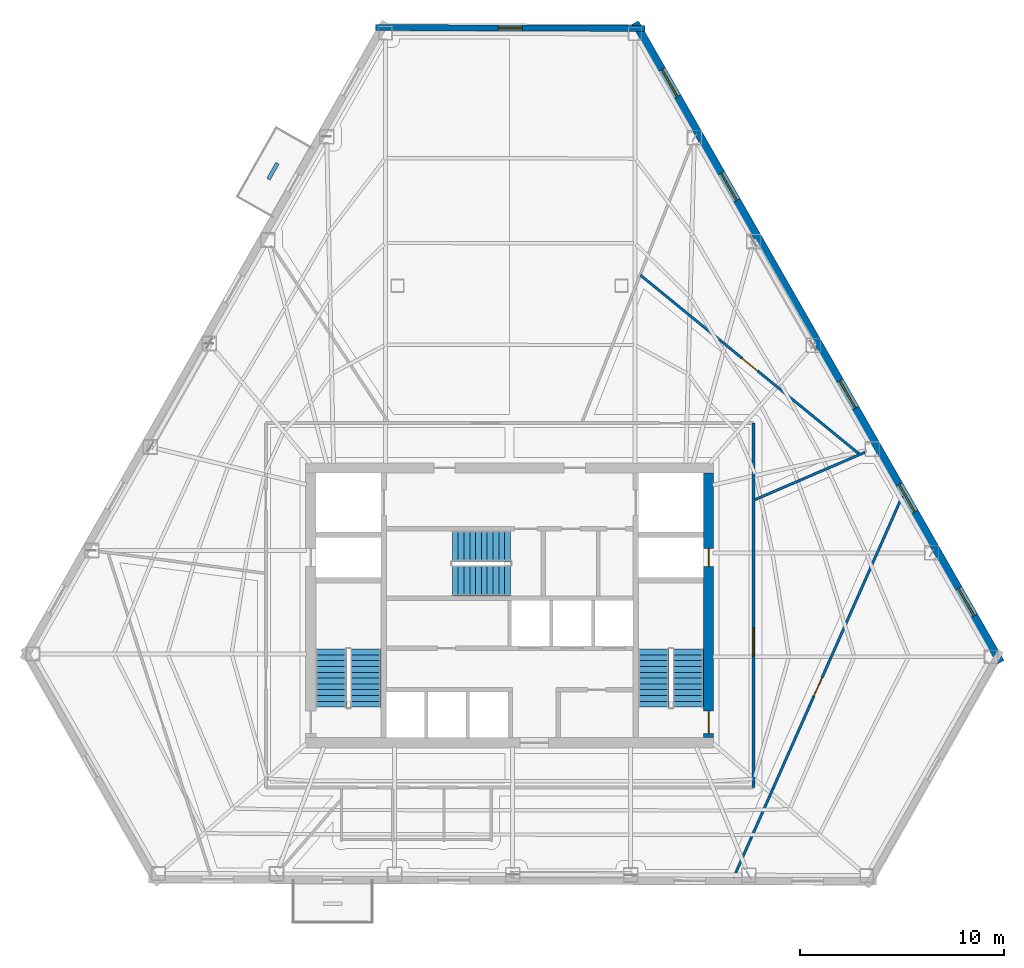
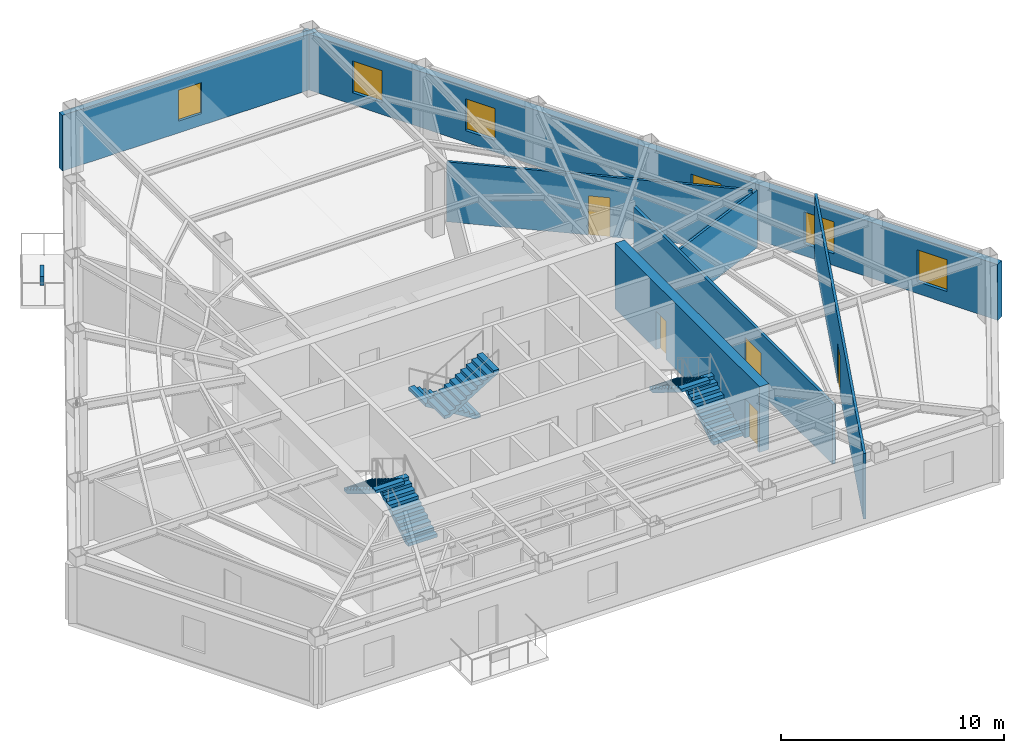
# One storey, part 10 of 13: 8 walls, 6 stair flights, 6 windows, 5 doors, 11 openings, 3 elements without a shape of their own.
"""IFC4 building model written with IfcOpenShell, lengths in metres."""

from ifc_helpers import new_model, si_unit, direction, frame, frame_2d, origin, place, context, subcontext, project, spatial, polyline, rectangle, outline, extrude, material, layer, layer_set, type_object, element, fill, aggregate, save


model = new_model("IFC4")

# Units and contexts
model_context = context("Model", 3, precision=1e-05, world=origin(), true_north=direction((0.0, 1.0)))
body_context = subcontext(model_context, "Body", "Model", "MODEL_VIEW")
ifc_project = project(units=[si_unit("LENGTHUNIT", "METRE"), si_unit("AREAUNIT", "SQUARE_METRE"), si_unit("VOLUMEUNIT", "CUBIC_METRE"), si_unit("PLANEANGLEUNIT", "RADIAN"), si_unit("MASSUNIT", "GRAM", prefix="KILO")], contexts=[model_context])

# Site, building, storey
site_placement = place(None, origin())
site = spatial("IfcSite", under=ifc_project, at=site_placement, CompositionType="ELEMENT")
building_placement = place(site_placement, origin())
building = spatial("IfcBuilding", under=site, at=building_placement, Name="Kavelnor Concourse Tower", CompositionType="ELEMENT")
storey_placement = place(building_placement, frame((0.0, 0.0, 97.050048828125)))
storey = spatial("IfcBuildingStorey", under=building, at=storey_placement, Name="L24", CompositionType="ELEMENT", Elevation=97.050048828125)

# Wall, openings, doors
ifc_material_1 = material(Name="Concrete C60/75", Category="concrete")
ifc_layer_1 = layer(ifc_material_1, 0.5, Name="Concrete C60/75")
ifc_layer_set_1 = layer_set([ifc_layer_1], Name="Concrete C60/75")
wall_type_1 = type_object("IfcWallType", Name="WL-CORE-Z2-500", PredefinedType="SOLIDWALL", material=ifc_layer_set_1)
wall_1_placement = place(storey_placement, frame((47.77001953125, 9.60009765625, 0.0), z_axis=(0.0, 0.0, 1.0), x_axis=(0.0, 1.0, 0.0)))
wall_1 = element("IfcWall", 1, at=wall_1_placement, inside=storey, type_object=wall_type_1, Name="L24 Central Core East Shear Wall", PredefinedType="SOLIDWALL", context=body_context, shape_type="SweptSolid", body=[
    extrude(rectangle(XDim=13.0, YDim=0.5, at=frame_2d((6.5, 0.0))), origin(), (0.0, 0.0, 1.0), 3.599853515625),
])
opening_1_placement = place(wall_1_placement, frame((0.199951171875, 0.0, 0.0)))
opening_1 = element("IfcOpeningElement", 2, at=opening_1_placement, cuts=wall_1, Name="Opening FD-110", PredefinedType="OPENING", context=body_context, shape_type="SweptSolid", body=[
    extrude(rectangle(XDim=1.10009765625, YDim=2.14990234375, at=frame_2d((0.550048828125, 1.074951171875))), frame((0.0, 0.260009765625, 0.0), z_axis=(0.0, -1.0, 0.0), x_axis=(1.0, 0.0, 0.0)), (0.0, 0.0, 1.0), 0.52001953125),
])
opening_2_placement = place(wall_1_placement, frame((8.39990234375, 0.0, 0.0)))
opening_2 = element("IfcOpeningElement", 3, at=opening_2_placement, cuts=wall_1, Name="Opening FD-090", PredefinedType="OPENING", context=body_context, shape_type="SweptSolid", body=[
    extrude(rectangle(XDim=0.89990234375, YDim=2.10009765625, at=frame_2d((0.449951171875, 1.050048828125))), frame((0.0, 0.260009765625, 0.0), z_axis=(0.0, -1.0, 0.0), x_axis=(1.0, 0.0, 0.0)), (0.0, 0.0, 1.0), 0.52001953125),
])
ifc_material_2 = material(Name="Steel Grade 350", Category="steel")
door_type_1 = type_object("IfcDoorType", Name="DR-RISER-FIRE-900", OperationType="NOTDEFINED", PredefinedType="DOOR", material=ifc_material_2)
door_1_placement = place(opening_2_placement, origin())
door_1 = element("IfcDoor", 4, at=door_1_placement, inside=storey, type_object=door_type_1, Name="L24 East Riser Access Door", OperationType="SINGLE_SWING_LEFT", OverallHeight=2.10009765625, OverallWidth=0.89990234375, PredefinedType="DOOR", context=body_context, shape_type="SweptSolid", body=[
    extrude(rectangle(XDim=0.89990234375, YDim=2.10009765625, at=frame_2d((0.449951171875, 1.050048828125))), frame((0.0, 0.02490234375, 0.0), z_axis=(0.0, -1.0, 0.0), x_axis=(1.0, 0.0, 0.0)), (0.0, 0.0, 1.0), 0.050048828125),
])
fill(opening_2, door_1)
door_type_2 = type_object("IfcDoorType", Name="DR-STAIR-FIRE-1100", OperationType="NOTDEFINED", PredefinedType="DOOR", material=ifc_material_2)
door_2_placement = place(opening_1_placement, origin())
door_2 = element("IfcDoor", 5, at=door_2_placement, inside=storey, type_object=door_type_2, Name="L24 Stair ST2 Fire Door", OperationType="SINGLE_SWING_RIGHT", OverallHeight=2.14990234375, OverallWidth=1.10009765625, PredefinedType="DOOR", context=body_context, shape_type="SweptSolid", body=[
    extrude(rectangle(XDim=1.10009765625, YDim=2.14990234375, at=frame_2d((0.550048828125, 1.074951171875))), frame((0.0, 0.02490234375, 0.0), z_axis=(0.0, -1.0, 0.0), x_axis=(1.0, 0.0, 0.0)), (0.0, 0.0, 1.0), 0.050048828125),
])
fill(opening_1, door_2)

# Wall, opening, window
ifc_material_3 = material(Name="Buff ironspot clay face brick masonry", Category="masonry")
ifc_layer_2 = layer(ifc_material_3, 0.300048828125, Name="Buff ironspot clay face brick masonry")
ifc_layer_set_2 = layer_set([ifc_layer_2], Name="Buff ironspot clay face brick masonry")
wall_type_2 = type_object("IfcWallType", Name="WL-EXT-BUFF-BRICK-FOLD-300", PredefinedType="STANDARD", material=ifc_layer_set_2)
wall_2_placement = place(storey_placement, frame((31.4189453125, 44.48095703125, 0.0), z_axis=(0.0, 0.0, 1.0), x_axis=(0.999996113452, -0.002788024615, 0.0)))
wall_2 = element("IfcWall", 6, at=wall_2_placement, inside=storey, type_object=wall_type_2, Name="L24 Exterior Brick Facade Wall E0", PredefinedType="STANDARD", context=body_context, shape_type="SweptSolid", body=[
    extrude(rectangle(XDim=13.22265625, YDim=0.300048828125, at=frame_2d((6.611328125, 0.0))), origin(), (0.0, 0.0, 1.0), 3.058837890625),
])
opening_3_placement = place(wall_2_placement, frame((6.011474609375, 0.0, 0.64990234375)))
opening_3 = element("IfcOpeningElement", 7, at=opening_3_placement, cuts=wall_2, Name="Opening W-05", PredefinedType="OPENING", context=body_context, shape_type="SweptSolid", body=[
    extrude(rectangle(XDim=1.199951171875, YDim=1.699951171875, at=frame_2d((0.60009765625, 0.85009765625))), frame((0.0, 0.16015625, 0.0), z_axis=(0.0, -1.0, 0.0), x_axis=(1.0, 0.0, 0.0)), (0.0, 0.0, 1.0), 0.320068359375),
])
ifc_material_4 = material(Name="Double low-E argon insulated glazing", Category="glass")
window_type_1 = type_object("IfcWindowType", Name="WIN-FOLD-1200", PartitioningType="SINGLE_PANEL", PredefinedType="WINDOW", material=ifc_material_4)
window_1_placement = place(opening_3_placement, origin())
window_1 = element("IfcWindow", 8, at=window_1_placement, inside=storey, type_object=window_type_1, Name="L24 Chamfer-Fold Facet Window C0", OverallHeight=1.699951171875, OverallWidth=1.199951171875, PartitioningType="SINGLE_PANEL", PredefinedType="WINDOW", context=body_context, shape_type="SweptSolid", body=[
    extrude(rectangle(XDim=1.199951171875, YDim=1.699951171875, at=frame_2d((0.60009765625, 0.85009765625))), frame((0.0, 0.030029296875, 0.0), z_axis=(0.0, -1.0, 0.0), x_axis=(1.0, 0.0, 0.0)), (0.0, 0.0, 1.0), 0.06005859375),
])
fill(opening_3, window_1)

# Wall, openings, windows
ifc_material_5 = material(Name="Red-ochre clay face brick masonry", Category="masonry")
ifc_layer_3 = layer(ifc_material_5, 0.3798828125, Name="Red-ochre clay face brick masonry")
ifc_layer_set_3 = layer_set([ifc_layer_3], Name="Red-ochre clay face brick masonry")
wall_type_3 = type_object("IfcWallType", Name="WL-EXT-RED-BRICK-PIER-380", PredefinedType="STANDARD", material=ifc_layer_set_3)
wall_3_placement = place(storey_placement, frame((44.16064453125, 44.72412109375, 0.0), z_axis=(0.0, 0.0, 1.0), x_axis=(0.496205042728, -0.86820536486, 0.0)))
wall_3 = element("IfcWall", 9, at=wall_3_placement, inside=storey, type_object=wall_type_3, Name="L24 Exterior Brick Facade Wall E5", PredefinedType="STANDARD", context=body_context, shape_type="SweptSolid", body=[
    extrude(rectangle(XDim=36.193115234375, YDim=0.3798828125, at=frame_2d((18.0966796875, 0.0))), origin(), (0.0, 0.0, 1.0), 3.058837890625),
])
opening_4_placement = place(wall_3_placement, frame((32.0078125, 0.0, 0.64990234375)))
opening_4 = element("IfcOpeningElement", 10, at=opening_4_placement, cuts=wall_3, Name="Opening W-02", PredefinedType="OPENING", context=body_context, shape_type="SweptSolid", body=[
    extrude(rectangle(XDim=1.550048828125, YDim=1.75, at=frame_2d((0.77490234375, 0.875))), frame((0.0, 0.199951171875, 0.0), z_axis=(0.0, -1.0, 0.0), x_axis=(1.0, 0.0, 0.0)), (0.0, 0.0, 1.0), 0.39990234375),
])
opening_5_placement = place(wall_3_placement, frame((26.134033203125, 0.0, 0.64990234375)))
opening_5 = element("IfcOpeningElement", 11, at=opening_5_placement, cuts=wall_3, Name="Opening W-02", PredefinedType="OPENING", context=body_context, shape_type="SweptSolid", body=[
    extrude(rectangle(XDim=1.550048828125, YDim=1.75, at=frame_2d((0.77490234375, 0.875))), frame((0.0, 0.199951171875, 0.0), z_axis=(0.0, -1.0, 0.0), x_axis=(1.0, 0.0, 0.0)), (0.0, 0.0, 1.0), 0.39990234375),
])
opening_6_placement = place(wall_3_placement, frame((20.260498046875, 0.0, 0.64990234375)))
opening_6 = element("IfcOpeningElement", 12, at=opening_6_placement, cuts=wall_3, Name="Opening W-02", PredefinedType="OPENING", context=body_context, shape_type="SweptSolid", body=[
    extrude(rectangle(XDim=1.550048828125, YDim=1.75, at=frame_2d((0.77490234375, 0.875))), frame((0.0, 0.199951171875, 0.0), z_axis=(0.0, -1.0, 0.0), x_axis=(1.0, 0.0, 0.0)), (0.0, 0.0, 1.0), 0.39990234375),
])
opening_7_placement = place(wall_3_placement, frame((8.51318359375, 0.0, 0.64990234375)))
opening_7 = element("IfcOpeningElement", 13, at=opening_7_placement, cuts=wall_3, Name="Opening W-02", PredefinedType="OPENING", context=body_context, shape_type="SweptSolid", body=[
    extrude(rectangle(XDim=1.550048828125, YDim=1.75, at=frame_2d((0.77490234375, 0.875))), frame((0.0, 0.199951171875, 0.0), z_axis=(0.0, -1.0, 0.0), x_axis=(1.0, 0.0, 0.0)), (0.0, 0.0, 1.0), 0.39990234375),
])
opening_8_placement = place(wall_3_placement, frame((2.639404296875, 0.0, 0.64990234375)))
opening_8 = element("IfcOpeningElement", 14, at=opening_8_placement, cuts=wall_3, Name="Opening W-02", PredefinedType="OPENING", context=body_context, shape_type="SweptSolid", body=[
    extrude(rectangle(XDim=1.550048828125, YDim=1.75, at=frame_2d((0.77490234375, 0.875))), frame((0.0, 0.199951171875, 0.0), z_axis=(0.0, -1.0, 0.0), x_axis=(1.0, 0.0, 0.0)), (0.0, 0.0, 1.0), 0.39990234375),
])
window_type_2 = type_object("IfcWindowType", Name="WIN-PIER-Z2-1650", PartitioningType="SINGLE_PANEL", PredefinedType="WINDOW", material=ifc_material_4)
window_2_placement = place(opening_4_placement, origin())
window_2 = element("IfcWindow", 15, at=window_2_placement, inside=storey, type_object=window_type_2, Name="L24 Deep-Set Brick Pier Window F2-B0", OverallHeight=1.75, OverallWidth=1.550048828125, PartitioningType="SINGLE_PANEL", PredefinedType="WINDOW", context=body_context, shape_type="SweptSolid", body=[
    extrude(rectangle(XDim=1.550048828125, YDim=1.75, at=frame_2d((0.77490234375, 0.875))), frame((0.0, 0.030029296875, 0.0), z_axis=(0.0, -1.0, 0.0), x_axis=(1.0, 0.0, 0.0)), (0.0, 0.0, 1.0), 0.06005859375),
])
fill(opening_4, window_2)
window_3_placement = place(opening_5_placement, origin())
window_3 = element("IfcWindow", 16, at=window_3_placement, inside=storey, type_object=window_type_2, Name="L24 Deep-Set Brick Pier Window F2-B1", OverallHeight=1.75, OverallWidth=1.550048828125, PartitioningType="SINGLE_PANEL", PredefinedType="WINDOW", context=body_context, shape_type="SweptSolid", body=[
    extrude(rectangle(XDim=1.550048828125, YDim=1.75, at=frame_2d((0.77490234375, 0.875))), frame((0.0, 0.030029296875, 0.0), z_axis=(0.0, -1.0, 0.0), x_axis=(1.0, 0.0, 0.0)), (0.0, 0.0, 1.0), 0.06005859375),
])
fill(opening_5, window_3)
window_4_placement = place(opening_6_placement, origin())
window_4 = element("IfcWindow", 17, at=window_4_placement, inside=storey, type_object=window_type_2, Name="L24 Deep-Set Brick Pier Window F2-B2", OverallHeight=1.75, OverallWidth=1.550048828125, PartitioningType="SINGLE_PANEL", PredefinedType="WINDOW", context=body_context, shape_type="SweptSolid", body=[
    extrude(rectangle(XDim=1.550048828125, YDim=1.75, at=frame_2d((0.77490234375, 0.875))), frame((0.0, 0.030029296875, 0.0), z_axis=(0.0, -1.0, 0.0), x_axis=(1.0, 0.0, 0.0)), (0.0, 0.0, 1.0), 0.06005859375),
])
fill(opening_6, window_4)
window_5_placement = place(opening_7_placement, origin())
window_5 = element("IfcWindow", 18, at=window_5_placement, inside=storey, type_object=window_type_2, Name="L24 Deep-Set Brick Pier Window F2-B4", OverallHeight=1.75, OverallWidth=1.550048828125, PartitioningType="SINGLE_PANEL", PredefinedType="WINDOW", context=body_context, shape_type="SweptSolid", body=[
    extrude(rectangle(XDim=1.550048828125, YDim=1.75, at=frame_2d((0.77490234375, 0.875))), frame((0.0, 0.030029296875, 0.0), z_axis=(0.0, -1.0, 0.0), x_axis=(1.0, 0.0, 0.0)), (0.0, 0.0, 1.0), 0.06005859375),
])
fill(opening_7, window_5)
window_6_placement = place(opening_8_placement, origin())
window_6 = element("IfcWindow", 19, at=window_6_placement, inside=storey, type_object=window_type_2, Name="L24 Deep-Set Brick Pier Window F2-B5", OverallHeight=1.75, OverallWidth=1.550048828125, PartitioningType="SINGLE_PANEL", PredefinedType="WINDOW", context=body_context, shape_type="SweptSolid", body=[
    extrude(rectangle(XDim=1.550048828125, YDim=1.75, at=frame_2d((0.77490234375, 0.875))), frame((0.0, 0.030029296875, 0.0), z_axis=(0.0, -1.0, 0.0), x_axis=(1.0, 0.0, 0.0)), (0.0, 0.0, 1.0), 0.06005859375),
])
fill(opening_8, window_6)

# Wall, opening, door
ifc_material_6 = material(Name="Gypsum plasterboard on light-gauge steel studs", Category="steel")
ifc_layer_4 = layer(ifc_material_6, 0.14501953125, Name="Gypsum plasterboard on light-gauge steel studs")
ifc_layer_set_4 = layer_set([ifc_layer_4], Name="Gypsum plasterboard on light-gauge steel studs")
wall_type_4 = type_object("IfcWallType", Name="WL-INT-CORR-145", PredefinedType="PARTITIONING", material=ifc_layer_set_4)
wall_4_placement = place(storey_placement, frame((49.969970703125, 7.14990234375, 0.0), z_axis=(0.0, 0.0, 1.0), x_axis=(0.0, 1.0, 0.0)))
wall_4 = element("IfcWall", 20, at=wall_4_placement, inside=storey, type_object=wall_type_4, Name="L24 Corridor Wall WL-L24-CR-01", PredefinedType="PARTITIONING", context=body_context, shape_type="SweptSolid", body=[
    extrude(rectangle(XDim=17.900146484375, YDim=0.14501953125, at=frame_2d((8.9501953125, 0.0))), origin(), (0.0, 0.0, 1.0), 3.287841796875),
])
opening_9_placement = place(wall_4_placement, frame((6.4541015625, 0.0, 0.0)))
opening_9 = element("IfcOpeningElement", 21, at=opening_9_placement, cuts=wall_4, Name="Opening SD-140", PredefinedType="OPENING", context=body_context, shape_type="SweptSolid", body=[
    extrude(rectangle(XDim=1.39990234375, YDim=2.199951171875, at=frame_2d((0.699951171875, 1.10009765625))), frame((0.0, 0.08251953125, 0.0), z_axis=(0.0, -1.0, 0.0), x_axis=(1.0, 0.0, 0.0)), (0.0, 0.0, 1.0), 0.1650390625),
])
ifc_material_7 = material(Name="Solid-core hardwood timber", Category="wood")
door_type_3 = type_object("IfcDoorType", Name="DR-SUITE-ENTRY-1400", OperationType="NOTDEFINED", PredefinedType="DOOR", material=ifc_material_7)
door_3_placement = place(opening_9_placement, origin())
door_3 = element("IfcDoor", 22, at=door_3_placement, inside=storey, type_object=door_type_3, Name="L24 Architectural Design Studio 07 Door", OperationType="SINGLE_SWING_RIGHT", OverallHeight=2.199951171875, OverallWidth=1.39990234375, PredefinedType="DOOR", context=body_context, shape_type="SweptSolid", body=[
    extrude(rectangle(XDim=1.39990234375, YDim=2.199951171875, at=frame_2d((0.699951171875, 1.10009765625))), frame((0.0, 0.02490234375, 0.0), z_axis=(0.0, -1.0, 0.0), x_axis=(1.0, 0.0, 0.0)), (0.0, 0.0, 1.0), 0.050048828125),
])
fill(opening_9, door_3)

# Wall
ifc_layer_5 = layer(ifc_material_6, 0.125, Name="Gypsum plasterboard on light-gauge steel studs")
ifc_layer_set_5 = layer_set([ifc_layer_5], Name="Gypsum plasterboard on light-gauge steel studs")
wall_type_5 = type_object("IfcWallType", Name="WL-INT-SUITE-125", PredefinedType="PARTITIONING", material=ifc_layer_set_5)
wall_5_placement = place(storey_placement, frame((50.050537109375, 21.291259765625, 0.0), z_axis=(0.0, 0.0, 1.0), x_axis=(0.918411455874, 0.395626588741, 0.0)))
element("IfcWall", 23, at=wall_5_placement, inside=storey, type_object=wall_type_5, Name="L24 Radial Suite Partition 01", PredefinedType="PARTITIONING", context=body_context, shape_type="SweptSolid", body=[
    extrude(rectangle(XDim=5.8828125, YDim=0.125, at=frame_2d((2.94140625, 0.0))), origin(), (0.0, 0.0, 1.0), 3.140869140625),
])

# Wall, opening, door
wall_6_placement = place(storey_placement, frame((55.19140625, 23.522216796875, 0.0), z_axis=(0.0, 0.0, 1.0), x_axis=(-0.774294364682, 0.632825597476, 0.0)))
wall_6 = element("IfcWall", 24, at=wall_6_placement, inside=storey, type_object=wall_type_5, Name="L24 Suite Subdivision Partition 01", PredefinedType="PARTITIONING", context=body_context, shape_type="SweptSolid", body=[
    extrude(rectangle(XDim=13.904541015625, YDim=0.125, at=frame_2d((6.9521484375, 0.0))), origin(), (0.0, 0.0, 1.0), 3.287841796875),
])
opening_10_placement = place(wall_6_placement, frame((6.47021484375, 0.0, 0.0)))
opening_10 = element("IfcOpeningElement", 25, at=opening_10_placement, cuts=wall_6, Name="Opening OD-098", PredefinedType="OPENING", context=body_context, shape_type="SweptSolid", body=[
    extrude(rectangle(XDim=0.97998046875, YDim=2.14990234375, at=frame_2d((0.489990234375, 1.074951171875))), frame((0.0, 0.072509765625, 0.0), z_axis=(0.0, -1.0, 0.0), x_axis=(1.0, 0.0, 0.0)), (0.0, 0.0, 1.0), 0.14501953125),
])
door_type_4 = type_object("IfcDoorType", Name="DR-OFFICE-980", OperationType="NOTDEFINED", PredefinedType="DOOR", material=ifc_material_7)
door_4_placement = place(opening_10_placement, origin())
door_4 = element("IfcDoor", 26, at=door_4_placement, inside=storey, type_object=door_type_4, Name="L24 Technical Reference Library 02 Door", OperationType="SINGLE_SWING_LEFT", OverallHeight=2.14990234375, OverallWidth=0.97998046875, PredefinedType="DOOR", context=body_context, shape_type="SweptSolid", body=[
    extrude(rectangle(XDim=0.97998046875, YDim=2.14990234375, at=frame_2d((0.489990234375, 1.074951171875))), frame((0.0, 0.02490234375, 0.0), z_axis=(0.0, -1.0, 0.0), x_axis=(1.0, 0.0, 0.0)), (0.0, 0.0, 1.0), 0.050048828125),
])
fill(opening_10, door_4)

wall_7_placement = place(storey_placement, frame((49.001220703125, 2.7216796875, 0.0), z_axis=(0.0, 0.0, 1.0), x_axis=(0.404423778169, 0.914571707222, 0.0)))
wall_7 = element("IfcWall", 27, at=wall_7_placement, inside=storey, type_object=wall_type_5, Name="L24 Suite Subdivision Partition 05", PredefinedType="PARTITIONING", context=body_context, shape_type="SweptSolid", body=[
    extrude(rectangle(XDim=20.485107421875, YDim=0.125, at=frame_2d((10.24267578125, 0.0))), origin(), (0.0, 0.0, 1.0), 3.599853515625),
])
opening_11_placement = place(wall_7_placement, frame((9.75244140625, 0.0, 0.0)))
opening_11 = element("IfcOpeningElement", 28, at=opening_11_placement, cuts=wall_7, Name="Opening OD-098", PredefinedType="OPENING", context=body_context, shape_type="SweptSolid", body=[
    extrude(rectangle(XDim=0.97998046875, YDim=2.14990234375, at=frame_2d((0.489990234375, 1.074951171875))), frame((0.0, 0.072509765625, 0.0), z_axis=(0.0, -1.0, 0.0), x_axis=(1.0, 0.0, 0.0)), (0.0, 0.0, 1.0), 0.14501953125),
])
door_5_placement = place(opening_11_placement, origin())
door_5 = element("IfcDoor", 29, at=door_5_placement, inside=storey, type_object=door_type_4, Name="L24 Technical Reference Library 08 Door", OperationType="SINGLE_SWING_LEFT", OverallHeight=2.14990234375, OverallWidth=0.97998046875, PredefinedType="DOOR", context=body_context, shape_type="SweptSolid", body=[
    extrude(rectangle(XDim=0.97998046875, YDim=2.14990234375, at=frame_2d((0.489990234375, 1.074951171875))), frame((0.0, 0.02490234375, 0.0), z_axis=(0.0, -1.0, 0.0), x_axis=(1.0, 0.0, 0.0)), (0.0, 0.0, 1.0), 0.050048828125),
])
fill(opening_11, door_5)

# Wall
ifc_material_8 = material(Name="Architectural precast planter concrete C40/50", Category="concrete")
ifc_layer_6 = layer(ifc_material_8, 0.18994140625, Name="Architectural precast planter concrete C40/50")
ifc_layer_set_6 = layer_set([ifc_layer_6], Name="Architectural precast planter concrete C40/50")
wall_type_6 = type_object("IfcWallType", Name="WL-PLANTER-KERB-190", PredefinedType="USERDEFINED", material=ifc_layer_set_6)
wall_8_placement = place(storey_placement, frame((26.596435546875, 37.818603515625, 0.0), z_axis=(0.0, 0.0, 1.0), x_axis=(-0.493799627288, -0.869575717284, 0.0)))
element("IfcWall", 30, at=wall_8_placement, inside=storey, type_object=wall_type_6, Name="L24 Tree Balcony 1 Tree Planter Kerb", ObjectType="PLANTER", PredefinedType="USERDEFINED", context=body_context, shape_type="SweptSolid", body=[
    extrude(rectangle(XDim=0.89990234375, YDim=0.18994140625, at=frame_2d((0.449951171875, 0.0))), origin(), (0.0, 0.0, 1.0), 0.5),
])

# Stair, stair flights
ifc_material_9 = material(Name="Concrete C40/50", Category="concrete")
stair_type = type_object("IfcStairType", Name="STR-CORE-1500", PredefinedType="HALF_TURN_STAIR", material=ifc_material_9)
stair_1_placement = place(storey_placement, origin())
stair_1 = element("IfcStair", 31, at=stair_1_placement, inside=storey, type_object=stair_type, Name="L24 ST1", PredefinedType="HALF_TURN_STAIR")
stair_flight_type = type_object("IfcStairFlightType", Name="STR-FLIGHT-1500", PredefinedType="STRAIGHT", material=ifc_material_9)
stair_flight_1_placement = place(storey_placement, frame((30.929931640625, 11.10009765625, 0.0), z_axis=(0.0, 0.0, 1.0), x_axis=(0.0, 1.0, 0.0)))
stair_flight_1 = element("IfcStairFlight", 32, at=stair_flight_1_placement, type_object=stair_flight_type, Name="ST1 flight 1", NumberOfRisers=11, NumberOfTreads=10, PredefinedType="STRAIGHT", RiserHeight=0.175, TreadLength=0.285, context=body_context, shape_type="SweptSolid", body=[
    extrude(outline(polyline([(0.0, 0.0), (0.0, 0.175048828125), (0.284912109375, 0.175048828125), (0.284912109375, 0.35009765625), (0.570068359375, 0.35009765625), (0.570068359375, 0.52490234375), (0.85498046875, 0.52490234375), (0.85498046875, 0.699951171875), (1.139892578125, 0.699951171875), (1.139892578125, 0.875), (1.425048828125, 0.875), (1.425048828125, 1.050048828125), (1.7099609375, 1.050048828125), (1.7099609375, 1.22509765625), (1.9951171875, 1.22509765625), (1.9951171875, 1.39990234375), (2.280029296875, 1.39990234375), (2.280029296875, 1.574951171875), (2.56494140625, 1.574951171875), (2.56494140625, 1.75), (2.85009765625, 1.75), (2.85009765625, 1.925048828125), (2.85009765625, 1.573974609375), (0.286376953125, 0.0), (0.0, 0.0)])), frame((0.0, 0.75, 0.0), z_axis=(0.0, -1.0, 0.0), x_axis=(1.0, 0.0, 0.0)), (0.0, 0.0, 1.0), 1.5),
])
stair_flight_2_placement = place(storey_placement, frame((29.22998046875, 13.949951171875, 1.925048828125), z_axis=(0.0, 0.0, 1.0), x_axis=(0.0, -1.0, 0.0)))
stair_flight_2 = element("IfcStairFlight", 33, at=stair_flight_2_placement, type_object=stair_flight_type, Name="ST1 flight 2", NumberOfRisers=11, NumberOfTreads=10, PredefinedType="STRAIGHT", RiserHeight=0.175, TreadLength=0.285, context=body_context, shape_type="SweptSolid", body=[
    extrude(outline(polyline([(0.0, 0.0), (0.0, 0.175048828125), (0.284912109375, 0.175048828125), (0.284912109375, 0.35009765625), (0.570068359375, 0.35009765625), (0.570068359375, 0.52490234375), (0.85498046875, 0.52490234375), (0.85498046875, 0.699951171875), (1.139892578125, 0.699951171875), (1.139892578125, 0.875), (1.425048828125, 0.875), (1.425048828125, 1.050048828125), (1.7099609375, 1.050048828125), (1.7099609375, 1.22509765625), (1.9951171875, 1.22509765625), (1.9951171875, 1.39990234375), (2.280029296875, 1.39990234375), (2.280029296875, 1.574951171875), (2.56494140625, 1.574951171875), (2.56494140625, 1.75), (2.85009765625, 1.75), (2.85009765625, 1.925048828125), (2.85009765625, 1.573974609375), (0.286376953125, 0.0), (0.0, 0.0)])), frame((0.0, 0.75, 0.0), z_axis=(0.0, -1.0, 0.0), x_axis=(1.0, 0.0, 0.0)), (0.0, 0.0, 1.0), 1.5),
])
aggregate(stair_1, [stair_flight_1, stair_flight_2])

stair_2_placement = place(storey_placement, origin())
stair_2 = element("IfcStair", 34, at=stair_2_placement, inside=storey, type_object=stair_type, Name="L24 ST2", PredefinedType="HALF_TURN_STAIR")
stair_flight_3_placement = place(storey_placement, frame((46.77001953125, 11.10009765625, 0.0), z_axis=(0.0, 0.0, 1.0), x_axis=(0.0, 1.0, 0.0)))
stair_flight_3 = element("IfcStairFlight", 35, at=stair_flight_3_placement, type_object=stair_flight_type, Name="ST2 flight 1", NumberOfRisers=11, NumberOfTreads=10, PredefinedType="STRAIGHT", RiserHeight=0.175, TreadLength=0.285, context=body_context, shape_type="SweptSolid", body=[
    extrude(outline(polyline([(0.0, 0.0), (0.0, 0.175048828125), (0.284912109375, 0.175048828125), (0.284912109375, 0.35009765625), (0.570068359375, 0.35009765625), (0.570068359375, 0.52490234375), (0.85498046875, 0.52490234375), (0.85498046875, 0.699951171875), (1.139892578125, 0.699951171875), (1.139892578125, 0.875), (1.425048828125, 0.875), (1.425048828125, 1.050048828125), (1.7099609375, 1.050048828125), (1.7099609375, 1.22509765625), (1.9951171875, 1.22509765625), (1.9951171875, 1.39990234375), (2.280029296875, 1.39990234375), (2.280029296875, 1.574951171875), (2.56494140625, 1.574951171875), (2.56494140625, 1.75), (2.85009765625, 1.75), (2.85009765625, 1.925048828125), (2.85009765625, 1.573974609375), (0.286376953125, 0.0), (0.0, 0.0)])), frame((0.0, 0.75, 0.0), z_axis=(0.0, -1.0, 0.0), x_axis=(1.0, 0.0, 0.0)), (0.0, 0.0, 1.0), 1.5),
])
stair_flight_4_placement = place(storey_placement, frame((45.070068359375, 13.949951171875, 1.925048828125), z_axis=(0.0, 0.0, 1.0), x_axis=(0.0, -1.0, 0.0)))
stair_flight_4 = element("IfcStairFlight", 36, at=stair_flight_4_placement, type_object=stair_flight_type, Name="ST2 flight 2", NumberOfRisers=11, NumberOfTreads=10, PredefinedType="STRAIGHT", RiserHeight=0.175, TreadLength=0.285, context=body_context, shape_type="SweptSolid", body=[
    extrude(outline(polyline([(0.0, 0.0), (0.0, 0.175048828125), (0.284912109375, 0.175048828125), (0.284912109375, 0.35009765625), (0.570068359375, 0.35009765625), (0.570068359375, 0.52490234375), (0.85498046875, 0.52490234375), (0.85498046875, 0.699951171875), (1.139892578125, 0.699951171875), (1.139892578125, 0.875), (1.425048828125, 0.875), (1.425048828125, 1.050048828125), (1.7099609375, 1.050048828125), (1.7099609375, 1.22509765625), (1.9951171875, 1.22509765625), (1.9951171875, 1.39990234375), (2.280029296875, 1.39990234375), (2.280029296875, 1.574951171875), (2.56494140625, 1.574951171875), (2.56494140625, 1.75), (2.85009765625, 1.75), (2.85009765625, 1.925048828125), (2.85009765625, 1.573974609375), (0.286376953125, 0.0), (0.0, 0.0)])), frame((0.0, 0.75, 0.0), z_axis=(0.0, -1.0, 0.0), x_axis=(1.0, 0.0, 0.0)), (0.0, 0.0, 1.0), 1.5),
])
aggregate(stair_2, [stair_flight_3, stair_flight_4])

stair_3_placement = place(storey_placement, origin())
stair_3 = element("IfcStair", 37, at=stair_3_placement, inside=storey, type_object=stair_type, Name="L24 ST3", PredefinedType="HALF_TURN_STAIR")
stair_flight_5_placement = place(storey_placement, frame((38.0400390625, 19.010009765625, 0.0), z_axis=(0.0, 0.0, 1.0), x_axis=(-1.0, 0.0, 0.0)))
stair_flight_5 = element("IfcStairFlight", 38, at=stair_flight_5_placement, type_object=stair_flight_type, Name="ST3 flight 1", NumberOfRisers=11, NumberOfTreads=10, PredefinedType="STRAIGHT", RiserHeight=0.175, TreadLength=0.285, context=body_context, shape_type="SweptSolid", body=[
    extrude(outline(polyline([(0.0, 0.0), (0.0, 0.175048828125), (0.284912109375, 0.175048828125), (0.284912109375, 0.35009765625), (0.570068359375, 0.35009765625), (0.570068359375, 0.52490234375), (0.85498046875, 0.52490234375), (0.85498046875, 0.699951171875), (1.139892578125, 0.699951171875), (1.139892578125, 0.875), (1.425048828125, 0.875), (1.425048828125, 1.050048828125), (1.7099609375, 1.050048828125), (1.7099609375, 1.22509765625), (1.9951171875, 1.22509765625), (1.9951171875, 1.39990234375), (2.280029296875, 1.39990234375), (2.280029296875, 1.574951171875), (2.56494140625, 1.574951171875), (2.56494140625, 1.75), (2.85009765625, 1.75), (2.85009765625, 1.925048828125), (2.85009765625, 1.573974609375), (0.286376953125, 0.0), (0.0, 0.0)])), frame((0.0, 0.75, 0.0), z_axis=(0.0, -1.0, 0.0), x_axis=(1.0, 0.0, 0.0)), (0.0, 0.0, 1.0), 1.5),
])
stair_flight_6_placement = place(storey_placement, frame((35.18994140625, 17.31005859375, 1.925048828125), z_axis=(0.0, 0.0, 1.0), x_axis=(1.0, 0.0, 0.0)))
stair_flight_6 = element("IfcStairFlight", 39, at=stair_flight_6_placement, type_object=stair_flight_type, Name="ST3 flight 2", NumberOfRisers=11, NumberOfTreads=10, PredefinedType="STRAIGHT", RiserHeight=0.175, TreadLength=0.285, context=body_context, shape_type="SweptSolid", body=[
    extrude(outline(polyline([(0.0, 0.0), (0.0, 0.175048828125), (0.284912109375, 0.175048828125), (0.284912109375, 0.35009765625), (0.570068359375, 0.35009765625), (0.570068359375, 0.52490234375), (0.85498046875, 0.52490234375), (0.85498046875, 0.699951171875), (1.139892578125, 0.699951171875), (1.139892578125, 0.875), (1.425048828125, 0.875), (1.425048828125, 1.050048828125), (1.7099609375, 1.050048828125), (1.7099609375, 1.22509765625), (1.9951171875, 1.22509765625), (1.9951171875, 1.39990234375), (2.280029296875, 1.39990234375), (2.280029296875, 1.574951171875), (2.56494140625, 1.574951171875), (2.56494140625, 1.75), (2.85009765625, 1.75), (2.85009765625, 1.925048828125), (2.85009765625, 1.573974609375), (0.286376953125, 0.0), (0.0, 0.0)])), frame((0.0, 0.75, 0.0), z_axis=(0.0, -1.0, 0.0), x_axis=(1.0, 0.0, 0.0)), (0.0, 0.0, 1.0), 1.5),
])
aggregate(stair_3, [stair_flight_5, stair_flight_6])

save(model, "model.ifc")
